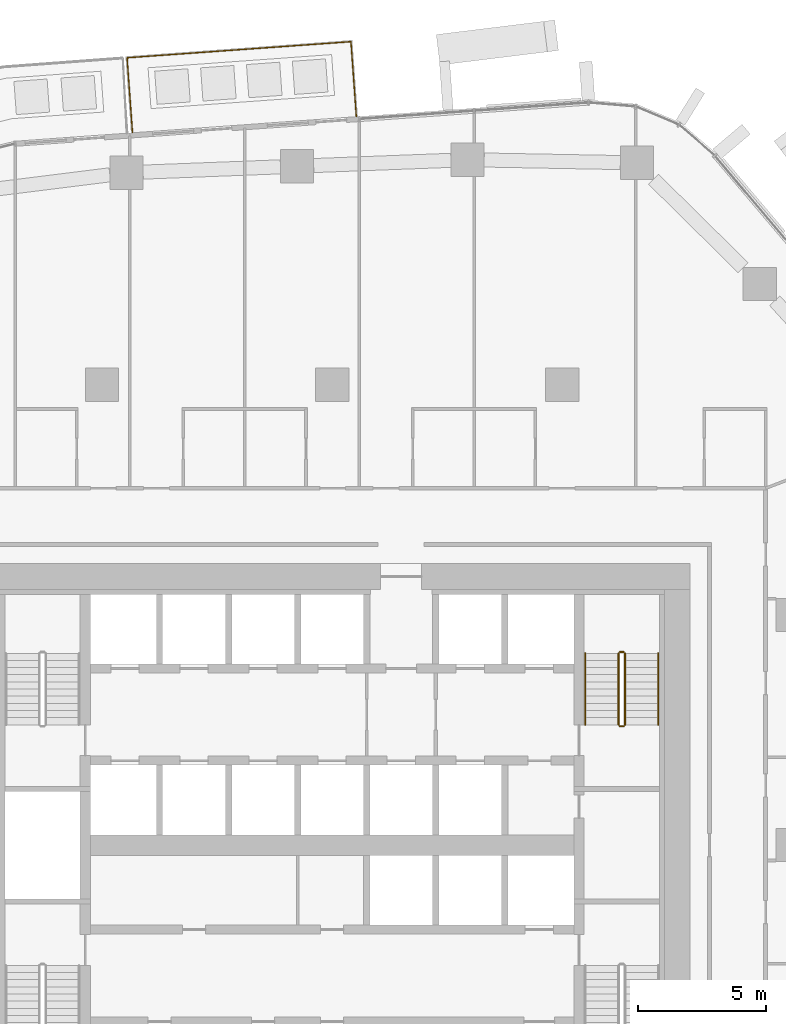
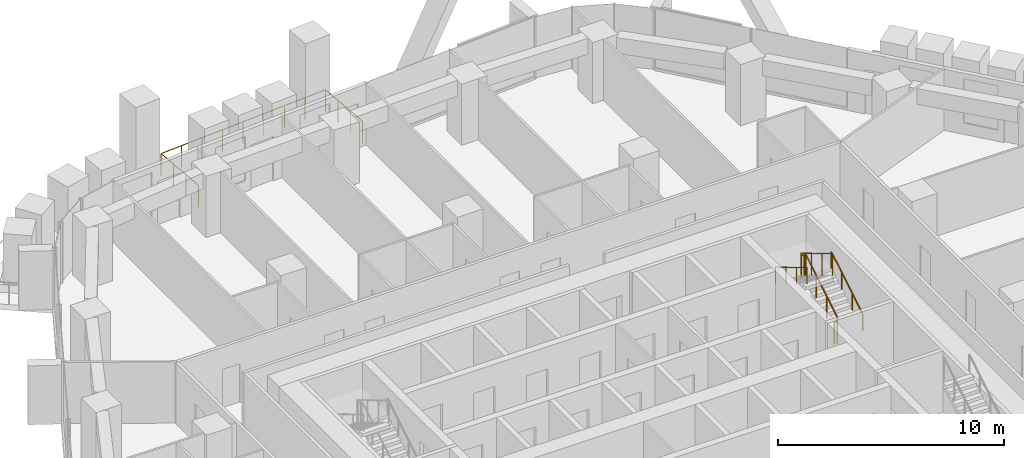
# One storey, part 23 of 24: 7 railings.
"""IFC4 building model written with IfcOpenShell, lengths in metres."""

from ifc_helpers import new_model, si_unit, direction, frame, origin, origin_2d, place, context, subcontext, project, spatial, circle, extrude, material, type_object, element, save


model = new_model("IFC4")

# Units and contexts
model_context = context("Model", 3, precision=1e-05, world=origin(), true_north=direction((0.0, 1.0)))
body_context = subcontext(model_context, "Body", "Model", "MODEL_VIEW")
ifc_project = project(units=[si_unit("LENGTHUNIT", "METRE"), si_unit("AREAUNIT", "SQUARE_METRE"), si_unit("VOLUMEUNIT", "CUBIC_METRE"), si_unit("PLANEANGLEUNIT", "RADIAN"), si_unit("MASSUNIT", "GRAM", prefix="KILO")], contexts=[model_context])

# Site, building, storey
site_placement = place(None, origin())
site = spatial("IfcSite", under=ifc_project, at=site_placement, CompositionType="ELEMENT")
building_placement = place(site_placement, origin())
building = spatial("IfcBuilding", under=site, at=building_placement, Name="Dongbaek Canopy Tower", CompositionType="ELEMENT")
storey_placement = place(building_placement, frame((0.0, 0.0, 113.699951171875)))
storey = spatial("IfcBuildingStorey", under=building, at=storey_placement, Name="L24", CompositionType="ELEMENT", Elevation=113.699951171875)

# Railings
ifc_material_1 = material(Name="Stainless steel", Category="steel")
railing_type_1 = type_object("IfcRailingType", Name="Balcony balustrade 1200", PredefinedType="BALUSTRADE", material=ifc_material_1)
railing_1_placement = place(storey_placement, frame((0.946044921875, 28.480712890625, 0.0)))
element("IfcRailing", 1, at=railing_1_placement, inside=storey, type_object=railing_type_1, Name="Balcony guard L24 2", PredefinedType="BALUSTRADE", context=body_context, shape_type="SweptSolid", body=[
    extrude(circle(Radius=0.02392578125, at=origin_2d()), frame((0.0, 0.0, 1.17578125), z_axis=(-0.071748667898, 0.997422743201, 0.0), x_axis=(-0.997422743201, -0.071748667898, 0.0)), (0.0, 0.0, 1.0), 2.93994140625),
    extrude(circle(Radius=0.02392578125, at=origin_2d()), frame((-0.2109375, 2.932373046875, 1.17578125), z_axis=(-0.997424550717, -0.071723536073, 0.0), x_axis=(0.071723536073, -0.997424550717, 0.0)), (0.0, 0.0, 1.0), 8.775390625),
    extrude(circle(Radius=0.02392578125, at=origin_2d()), frame((-8.963623046875, 2.302978515625, 1.17578125), z_axis=(0.071742725561, -0.99742317064, 0.0), x_axis=(0.99742317064, 0.071742725561, 0.0)), (0.0, 0.0, 1.0), 2.940185546875),
    extrude(circle(Radius=0.02099609375, at=origin_2d()), origin(), (0.0, 0.0, 1.0), 1.15185546875),
    extrude(circle(Radius=0.02099609375, at=origin_2d()), frame((-0.0703125, 0.9775390625, 0.0)), (0.0, 0.0, 1.0), 1.15185546875),
    extrude(circle(Radius=0.02099609375, at=origin_2d()), frame((-0.140625, 1.954833984375, 0.0)), (0.0, 0.0, 1.0), 1.15185546875),
    extrude(circle(Radius=0.02099609375, at=origin_2d()), frame((-0.2109375, 2.932373046875, 0.0)), (0.0, 0.0, 1.0), 1.15185546875),
    extrude(circle(Radius=0.02099609375, at=origin_2d()), frame((-1.304931640625, 2.853759765625, 0.0)), (0.0, 0.0, 1.0), 1.15185546875),
    extrude(circle(Radius=0.02099609375, at=origin_2d()), frame((-2.399169921875, 2.77490234375, 0.0)), (0.0, 0.0, 1.0), 1.15185546875),
    extrude(circle(Radius=0.02099609375, at=origin_2d()), frame((-3.4931640625, 2.6962890625, 0.0)), (0.0, 0.0, 1.0), 1.15185546875),
    extrude(circle(Radius=0.02099609375, at=origin_2d()), frame((-4.58740234375, 2.61767578125, 0.0)), (0.0, 0.0, 1.0), 1.15185546875),
    extrude(circle(Radius=0.02099609375, at=origin_2d()), frame((-5.681396484375, 2.5390625, 0.0)), (0.0, 0.0, 1.0), 1.15185546875),
    extrude(circle(Radius=0.02099609375, at=origin_2d()), frame((-6.775390625, 2.46044921875, 0.0)), (0.0, 0.0, 1.0), 1.15185546875),
    extrude(circle(Radius=0.02099609375, at=origin_2d()), frame((-7.86962890625, 2.381591796875, 0.0)), (0.0, 0.0, 1.0), 1.15185546875),
    extrude(circle(Radius=0.02099609375, at=origin_2d()), frame((-8.963623046875, 2.302978515625, 0.0)), (0.0, 0.0, 1.0), 1.15185546875),
    extrude(circle(Radius=0.02099609375, at=origin_2d()), frame((-8.893310546875, 1.325439453125, 0.0)), (0.0, 0.0, 1.0), 1.15185546875),
    extrude(circle(Radius=0.02099609375, at=origin_2d()), frame((-8.822998046875, 0.347900390625, 0.0)), (0.0, 0.0, 1.0), 1.15185546875),
    extrude(circle(Radius=0.02099609375, at=origin_2d()), frame((-8.752685546875, -0.629638671875, 0.0)), (0.0, 0.0, 1.0), 1.15185546875),
])
ifc_material_2 = material(Name="Stainless steel tube and balusters", Category="steel")
railing_type_2 = type_object("IfcRailingType", Name="Stair guard 1200", PredefinedType="GUARDRAIL", material=ifc_material_2)
railing_2_placement = place(storey_placement, frame((11.449951171875, 4.699951171875, 0.168212890625)))
element("IfcRailing", 2, at=railing_2_placement, inside=storey, type_object=railing_type_2, Name="L24 ST-A stair guard 1", PredefinedType="GUARDRAIL", context=body_context, shape_type="SweptSolid", body=[
    extrude(circle(Radius=0.02392578125, at=origin_2d()), frame((0.0, 0.0, 1.17578125), z_axis=(0.0, 0.857242210791, 0.514913383045), x_axis=(-1.0, 0.0, 0.0)), (0.0, 0.0, 1.0), 3.266357421875),
    extrude(circle(Radius=0.02099609375, at=origin_2d()), origin(), (0.0, 0.0, 1.0), 1.15185546875),
    extrude(circle(Radius=0.02099609375, at=origin_2d()), frame((0.0, 0.933349609375, 0.560546875)), (0.0, 0.0, 1.0), 1.15185546875),
    extrude(circle(Radius=0.02099609375, at=origin_2d()), frame((0.0, 1.86669921875, 1.121337890625)), (0.0, 0.0, 1.0), 1.15185546875),
    extrude(circle(Radius=0.02099609375, at=origin_2d()), frame((0.0, 2.800048828125, 1.681884765625)), (0.0, 0.0, 1.0), 1.15185546875),
])
railing_3_placement = place(storey_placement, frame((11.39990234375, 7.550048828125, 1.85009765625)))
element("IfcRailing", 3, at=railing_3_placement, inside=storey, type_object=railing_type_2, Name="L24 ST-A stair guard 2", PredefinedType="GUARDRAIL", context=body_context, shape_type="SweptSolid", body=[
    extrude(circle(Radius=0.02392578125, at=origin_2d()), frame((0.0, 0.0, 1.17578125), z_axis=(-1.0, 0.0, 0.0), x_axis=(0.0, -1.0, 0.0)), (0.0, 0.0, 1.0), 0.14990234375),
    extrude(circle(Radius=0.02099609375, at=origin_2d()), origin(), (0.0, 0.0, 1.0), 1.15185546875),
    extrude(circle(Radius=0.02099609375, at=origin_2d()), frame((-0.14990234375, 0.0, 0.0)), (0.0, 0.0, 1.0), 1.15185546875),
])
railing_4_placement = place(storey_placement, frame((11.199951171875, 7.5, 2.018310546875)))
element("IfcRailing", 4, at=railing_4_placement, inside=storey, type_object=railing_type_2, Name="L24 ST-A stair guard 3", PredefinedType="GUARDRAIL", context=body_context, shape_type="SweptSolid", body=[
    extrude(circle(Radius=0.02392578125, at=origin_2d()), frame((0.0, 0.0, 1.17578125), z_axis=(0.0, -0.857275202839, 0.514858452973), x_axis=(1.0, 0.0, 0.0)), (0.0, 0.0, 1.0), 3.26611328125),
    extrude(circle(Radius=0.02099609375, at=origin_2d()), origin(), (0.0, 0.0, 1.0), 1.15185546875),
    extrude(circle(Radius=0.02099609375, at=origin_2d()), frame((0.0, -0.933349609375, 0.560546875)), (0.0, 0.0, 1.0), 1.15185546875),
    extrude(circle(Radius=0.02099609375, at=origin_2d()), frame((0.0, -1.86669921875, 1.12109375)), (0.0, 0.0, 1.0), 1.15185546875),
    extrude(circle(Radius=0.02099609375, at=origin_2d()), frame((0.0, -2.800048828125, 1.681640625)), (0.0, 0.0, 1.0), 1.15185546875),
])
railing_5_placement = place(storey_placement, frame((11.39990234375, 4.64990234375, 0.0)))
element("IfcRailing", 5, at=railing_5_placement, inside=storey, type_object=railing_type_2, Name="L24 ST-A stair guard 4", PredefinedType="GUARDRAIL", context=body_context, shape_type="SweptSolid", body=[
    extrude(circle(Radius=0.02392578125, at=origin_2d()), frame((0.0, 0.0, 1.17578125), z_axis=(-1.0, 0.0, 0.0), x_axis=(0.0, -1.0, 0.0)), (0.0, 0.0, 1.0), 0.14990234375),
    extrude(circle(Radius=0.02099609375, at=origin_2d()), origin(), (0.0, 0.0, 1.0), 1.15185546875),
    extrude(circle(Radius=0.02099609375, at=origin_2d()), frame((-0.14990234375, 0.0, 0.0)), (0.0, 0.0, 1.0), 1.15185546875),
])
ifc_material_3 = material(Name="Stainless steel tube", Category="steel")
railing_type_3 = type_object("IfcRailingType", Name="Stair handrail 900", PredefinedType="HANDRAIL", material=ifc_material_3)
railing_6_placement = place(storey_placement, frame((12.75, 4.699951171875, 0.168212890625)))
element("IfcRailing", 6, at=railing_6_placement, inside=storey, type_object=railing_type_3, Name="L24 ST-A stair handrail 1", PredefinedType="HANDRAIL", context=body_context, shape_type="SweptSolid", body=[
    extrude(circle(Radius=0.02392578125, at=origin_2d()), frame((0.0, 0.0, 0.8759765625), z_axis=(0.0, 0.857242210791, 0.514913383045), x_axis=(-1.0, 0.0, 0.0)), (0.0, 0.0, 1.0), 3.266357421875),
    extrude(circle(Radius=0.02099609375, at=origin_2d()), origin(), (0.0, 0.0, 1.0), 0.851806640625),
    extrude(circle(Radius=0.02099609375, at=origin_2d()), frame((0.0, 0.933349609375, 0.560546875)), (0.0, 0.0, 1.0), 0.851806640625),
    extrude(circle(Radius=0.02099609375, at=origin_2d()), frame((0.0, 1.86669921875, 1.121337890625)), (0.0, 0.0, 1.0), 0.851806640625),
    extrude(circle(Radius=0.02099609375, at=origin_2d()), frame((0.0, 2.800048828125, 1.681884765625)), (0.0, 0.0, 1.0), 0.851806640625),
])
railing_7_placement = place(storey_placement, frame((9.89990234375, 7.5, 2.018310546875)))
element("IfcRailing", 7, at=railing_7_placement, inside=storey, type_object=railing_type_3, Name="L24 ST-A stair handrail 2", PredefinedType="HANDRAIL", context=body_context, shape_type="SweptSolid", body=[
    extrude(circle(Radius=0.02392578125, at=origin_2d()), frame((0.0, 0.0, 0.8759765625), z_axis=(0.0, -0.857275202839, 0.514858452973), x_axis=(1.0, 0.0, 0.0)), (0.0, 0.0, 1.0), 3.26611328125),
    extrude(circle(Radius=0.02099609375, at=origin_2d()), origin(), (0.0, 0.0, 1.0), 0.851806640625),
    extrude(circle(Radius=0.02099609375, at=origin_2d()), frame((0.0, -0.933349609375, 0.560546875)), (0.0, 0.0, 1.0), 0.851806640625),
    extrude(circle(Radius=0.02099609375, at=origin_2d()), frame((0.0, -1.86669921875, 1.12109375)), (0.0, 0.0, 1.0), 0.851806640625),
    extrude(circle(Radius=0.02099609375, at=origin_2d()), frame((0.0, -2.800048828125, 1.681640625)), (0.0, 0.0, 1.0), 0.851806640625),
])

save(model, "model.ifc")
